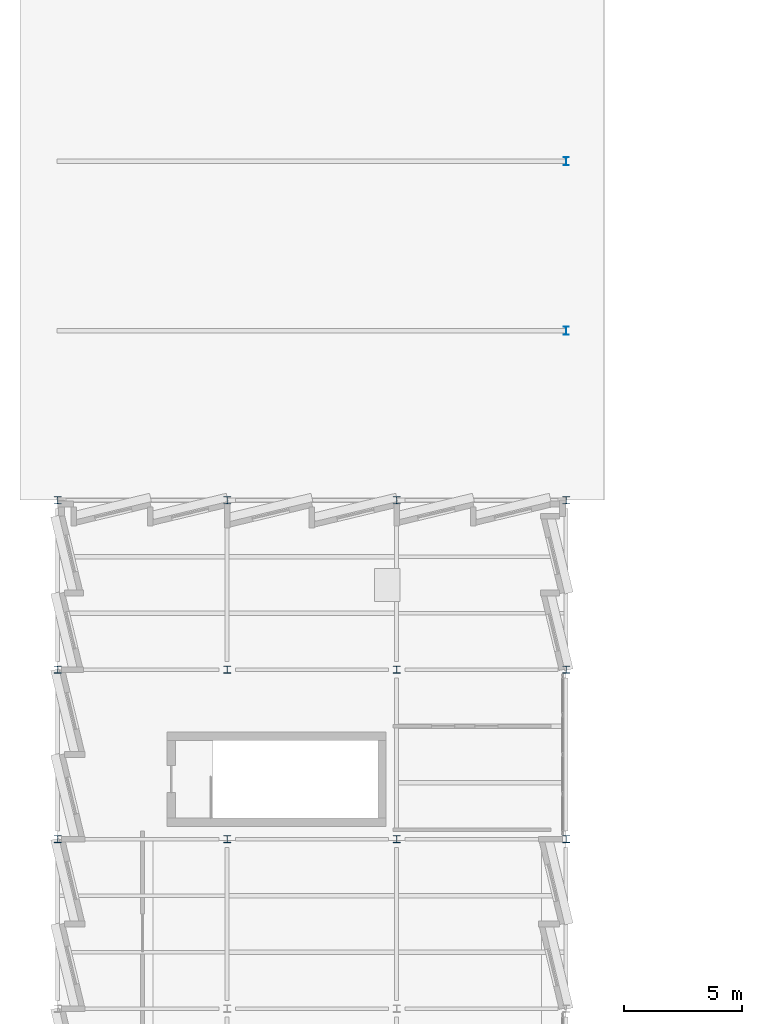
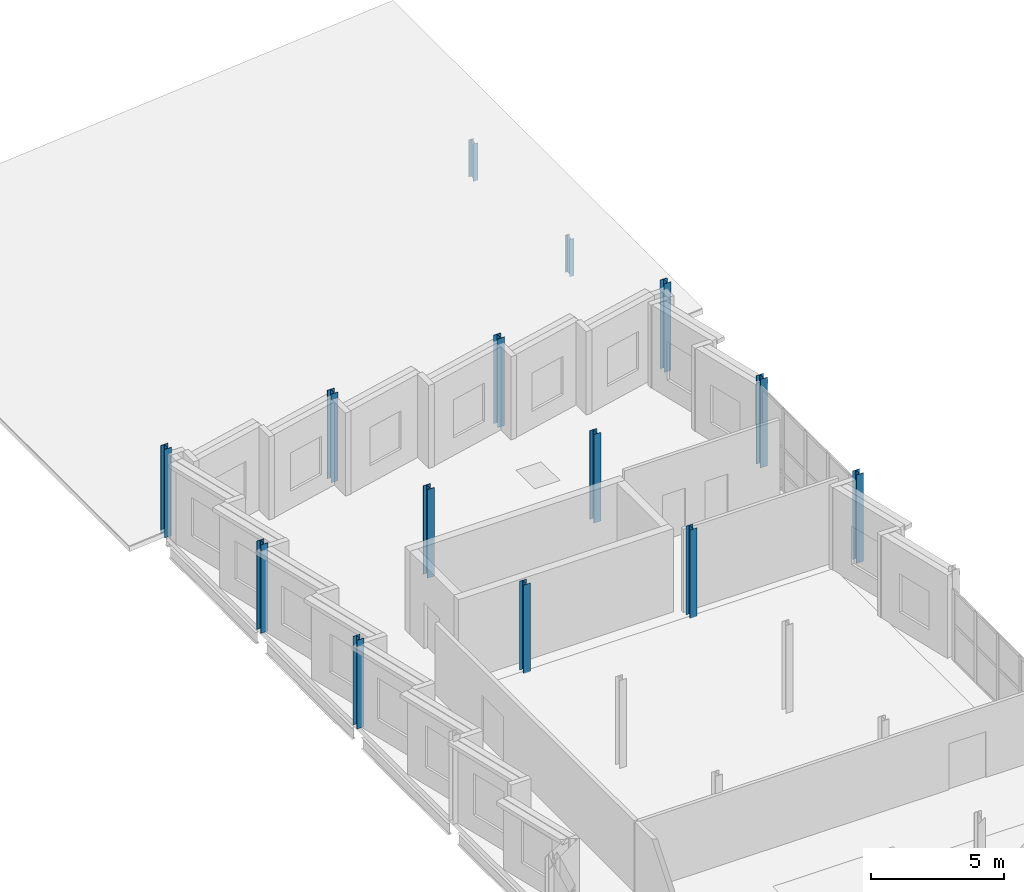
# One storey, part 3 of 18: 14 columns.
"""IFC4 building model written with IfcOpenShell, lengths in metres."""

from ifc_helpers import new_model, si_unit, direction, frame, origin, origin_2d, place, context, subcontext, project, spatial, i_section, extrude, material, material_profile, profile_set, type_object, element, save


model = new_model("IFC4")

# Units and contexts
model_context = context("Model", 3, precision=1e-05, world=origin(), true_north=direction((0.0, 1.0)))
body_context = subcontext(model_context, "Body", "Model", "MODEL_VIEW")
ifc_project = project(units=[si_unit("LENGTHUNIT", "METRE"), si_unit("AREAUNIT", "SQUARE_METRE"), si_unit("VOLUMEUNIT", "CUBIC_METRE"), si_unit("PLANEANGLEUNIT", "RADIAN"), si_unit("MASSUNIT", "GRAM", prefix="KILO")], contexts=[model_context])

# Site, building, storey
site_placement = place(None, origin())
site = spatial("IfcSite", under=ifc_project, at=site_placement, CompositionType="ELEMENT")
building_placement = place(site_placement, origin())
building = spatial("IfcBuilding", under=site, at=building_placement, Name="Kalmorath City Hall", CompositionType="ELEMENT")
storey_placement = place(building_placement, frame((0.0, 0.0, 27.0)))
storey = spatial("IfcBuildingStorey", under=building, at=storey_placement, Name="L06", CompositionType="ELEMENT", Elevation=27.0)

# Columns
ifc_material_1 = material(Name="Steel ASTM A992 Grade 50", Category="steel")
ifc_material_profile_1 = material_profile(ifc_material_1, i_section(OverallWidth=0.304931640625, OverallDepth=0.30810546875, WebThickness=0.010009765625, FlangeThickness=0.015380859375, FilletRadius=0.014892578125, at=origin_2d()), Name="W12X65")
ifc_profile_set_1 = profile_set([ifc_material_profile_1], Name="Steel ASTM A992 Grade 50")
column_type_1 = type_object("IfcColumnType", Name="Steel wide-flange column W12X65", PredefinedType="COLUMN", material=ifc_profile_set_1)
for number, where, z_axis, x_axis, name in (
    (1, (0.0, 50.39990234375, 0.0), (0.0, 0.0, 1.0), (1.0, 0.0, 0.0), "L06 column SC5 (1/8)"),
    (2, (0.0, 57.60009765625, 0.0), (0.0, 0.0, 1.0), (1.0, 0.0, 0.0), "L06 column SC5 (1/9)"),
    (3, (0.0, 64.800048828125, 0.0), (0.0, 0.0, 1.0), (1.0, 0.0, 0.0), "L06 column SC5 (1/10)"),
    (4, (7.199951171875, 50.39990234375, 0.0), (0.0, 0.0, 1.0), (1.0, 0.0, 0.0), "L06 column SC5 (2/8)"),
    (5, (7.199951171875, 57.60009765625, 0.0), (0.0, 0.0, 1.0), (1.0, 0.0, 0.0), "L06 column SC5 (2/9)"),
    (6, (7.199951171875, 64.800048828125, 0.0), (0.0, 0.0, 1.0), (1.0, 0.0, 0.0), "L06 column SC5 (2/10)"),
    (7, (14.39990234375, 50.39990234375, 0.0), (0.0, 0.0, 1.0), (1.0, 0.0, 0.0), "L06 column SC5 (3/8)"),
    (8, (14.39990234375, 57.60009765625, 0.0), (0.0, 0.0, 1.0), (1.0, 0.0, 0.0), "L06 column SC5 (3/9)"),
    (9, (14.39990234375, 64.800048828125, 0.0), (0.0, 0.0, 1.0), (1.0, 0.0, 0.0), "L06 column SC5 (3/10)"),
    (10, (21.60009765625, 50.39990234375, 0.0), (0.0, 0.0, 1.0), (1.0, 0.0, 0.0), "L06 column SC5 (4/8)"),
    (11, (21.60009765625, 57.60009765625, 0.0), (0.0, 0.0, 1.0), (1.0, 0.0, 0.0), "L06 column SC5 (4/9)"),
    (12, (21.60009765625, 64.800048828125, 0.0), (0.0, 0.0, 1.0), (1.0, 0.0, 0.0), "L06 column SC5 (4/10)"),
):
    element("IfcColumn", number, at=place(storey_placement, frame(where, z_axis=z_axis, x_axis=x_axis)), inside=storey, type_object=column_type_1, Name=name, PredefinedType="COLUMN", context=body_context, shape_type="SweptSolid", body=[
        extrude(i_section(OverallWidth=0.304931640625, OverallDepth=0.30810546875, WebThickness=0.010009765625, FlangeThickness=0.015380859375, FilletRadius=0.014892578125, at=origin_2d()), origin(), (0.0, 0.0, 1.0), 4.050048828125),
    ])
ifc_material_2 = material(Name="Steel ASTM A992 Grade 50", Category="steel")
ifc_material_profile_2 = material_profile(ifc_material_2, i_section(OverallWidth=0.2041015625, OverallDepth=0.35009765625, WebThickness=0.008544921875, FlangeThickness=0.01513671875, FilletRadius=0.014892578125, at=origin_2d()), Name="W14X48")
ifc_profile_set_2 = profile_set([ifc_material_profile_2], Name="Steel ASTM A992 Grade 50")
column_type_2 = type_object("IfcColumnType", Name="Steel wide-flange column W14X48", PredefinedType="COLUMN", material=ifc_profile_set_2)
for number, where, z_axis, x_axis, name in (
    (13, (21.60009765625, 72.0, 0.0), (0.0, 0.0, 1.0), (1.0, 0.0, 0.0), "L06 roof ridge post SC6-2"),
    (14, (21.60009765625, 79.199951171875, 0.0), (0.0, 0.0, 1.0), (1.0, 0.0, 0.0), "L06 roof ridge post SC6-3"),
):
    element("IfcColumn", number, at=place(storey_placement, frame(where, z_axis=z_axis, x_axis=x_axis)), inside=storey, type_object=column_type_2, Name=name, PredefinedType="COLUMN", context=body_context, shape_type="SweptSolid", body=[
        extrude(i_section(OverallWidth=0.2041015625, OverallDepth=0.35009765625, WebThickness=0.008544921875, FlangeThickness=0.01513671875, FilletRadius=0.014892578125, at=origin_2d()), origin(), (0.0, 0.0, 1.0), 1.699951171875),
    ])

save(model, "model.ifc")
